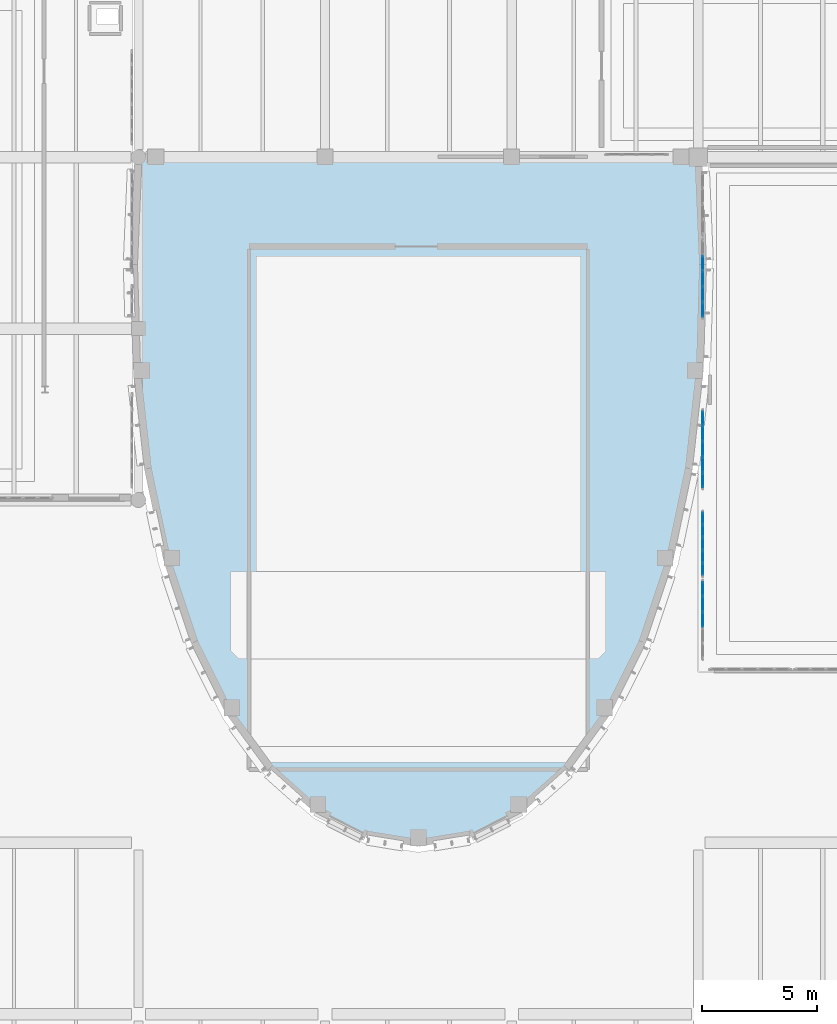
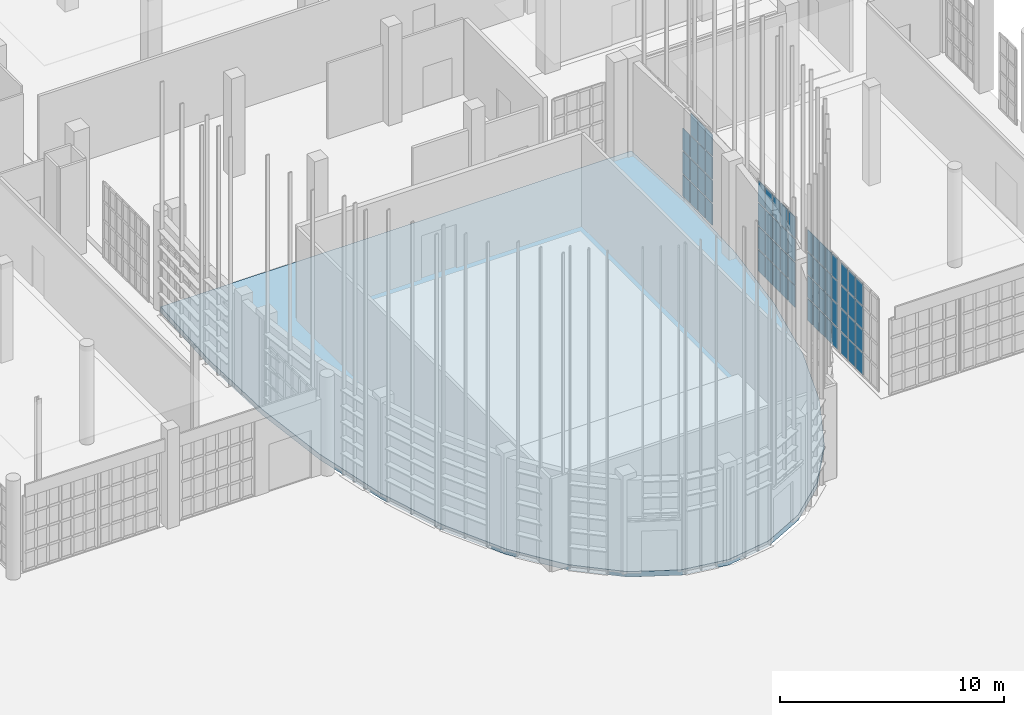
# One storey, part 341 of 372: 67 plates, 1 slab, 4 elements without a shape of their own.
"""IFC4 building model written with IfcOpenShell, lengths in metres."""

from ifc_helpers import new_model, si_unit, direction, frame, origin, origin_2d, place, context, subcontext, project, spatial, polyline, rectangle, outline, extrude, material, layer, layer_set, type_object, element, aggregate, save


model = new_model("IFC4")

# Units and contexts
model_context = context("Model", 3, precision=1e-05, world=origin(), true_north=direction((0.0, 1.0)))
body_context = subcontext(model_context, "Body", "Model", "MODEL_VIEW")
ifc_project = project(units=[si_unit("LENGTHUNIT", "METRE"), si_unit("AREAUNIT", "SQUARE_METRE"), si_unit("VOLUMEUNIT", "CUBIC_METRE"), si_unit("PLANEANGLEUNIT", "RADIAN"), si_unit("MASSUNIT", "GRAM", prefix="KILO")], contexts=[model_context])

# Site, building, storey
site_placement = place(None, origin())
site = spatial("IfcSite", under=ifc_project, at=site_placement, CompositionType="ELEMENT")
building_placement = place(site_placement, origin())
building = spatial("IfcBuilding", under=site, at=building_placement, Name="Kaelora Sail Theatre", CompositionType="ELEMENT")
storey_placement = place(building_placement, origin())
storey = spatial("IfcBuildingStorey", under=building, at=storey_placement, Name="L00", CompositionType="ELEMENT", Elevation=0.0)

# Curtain wall, plates
ifc_material_1 = material(Name="Anodised aluminium and solar-control low-E IGU", Category="aluminium")
curtain_wall_type = type_object("IfcCurtainWallType", Name="ARC-CW-CW-FOY2", PredefinedType="NOTDEFINED", material=ifc_material_1)
curtain_wall_1_placement = place(storey_placement, origin())
curtain_wall_1 = element("IfcCurtainWall", 1, at=curtain_wall_1_placement, inside=storey, type_object=curtain_wall_type, Name="Glazed Colonnade/Courtyard Curtain Wall COLE-W-L00-01", PredefinedType="NOTDEFINED")
ifc_material_2 = material(Name="Solar-control laminated low-E glass", Category="glass")
ifc_layer_1 = layer(ifc_material_2, 0.031982421875)
ifc_layer_set_1 = layer_set([ifc_layer_1], Name="Solar-control laminated low-E glass")
plate_type = type_object("IfcPlateType", Name="ARC-CW-PNL", PredefinedType="CURTAIN_PANEL", material=ifc_layer_set_1)
plate_1_placement = place(storey_placement, frame((147.489990234375, 33.5, 0.06982421875), z_axis=(0.0, 0.0, 1.0), x_axis=(0.0, 1.0, 0.0)))
plate_1 = element("IfcPlate", 2, at=plate_1_placement, type_object=plate_type, Name="CW-FOY2 panel 3.1", PredefinedType="CURTAIN_PANEL", context=body_context, shape_type="SweptSolid", body=[
    extrude(rectangle(XDim=0.6201171875, YDim=0.031982421875, at=origin_2d()), origin(), (0.0, 0.0, 1.0), 1.166259765625),
])
plate_2_placement = place(storey_placement, frame((147.489990234375, 33.5, 1.306396484375), z_axis=(0.0, 0.0, 1.0), x_axis=(0.0, 1.0, 0.0)))
plate_2 = element("IfcPlate", 3, at=plate_2_placement, type_object=plate_type, Name="CW-FOY2 panel 3.2", PredefinedType="CURTAIN_PANEL", context=body_context, shape_type="SweptSolid", body=[
    extrude(rectangle(XDim=0.6201171875, YDim=0.031982421875, at=origin_2d()), origin(), (0.0, 0.0, 1.0), 1.201171875),
])
plate_3_placement = place(storey_placement, frame((147.489990234375, 33.5, 2.57763671875), z_axis=(0.0, 0.0, 1.0), x_axis=(0.0, 1.0, 0.0)))
plate_3 = element("IfcPlate", 4, at=plate_3_placement, type_object=plate_type, Name="CW-FOY2 panel 3.3", PredefinedType="CURTAIN_PANEL", context=body_context, shape_type="SweptSolid", body=[
    extrude(rectangle(XDim=0.6201171875, YDim=0.031982421875, at=origin_2d()), origin(), (0.0, 0.0, 1.0), 1.201416015625),
])
plate_4_placement = place(storey_placement, frame((147.489990234375, 33.5, 3.8486328125), z_axis=(0.0, 0.0, 1.0), x_axis=(0.0, 1.0, 0.0)))
plate_4 = element("IfcPlate", 5, at=plate_4_placement, type_object=plate_type, Name="CW-FOY2 panel 3.4", PredefinedType="CURTAIN_PANEL", context=body_context, shape_type="SweptSolid", body=[
    extrude(rectangle(XDim=0.6201171875, YDim=0.031982421875, at=origin_2d()), origin(), (0.0, 0.0, 1.0), 1.166259765625),
])
plate_5_placement = place(storey_placement, frame((147.489990234375, 34.179931640625, 0.06982421875), z_axis=(0.0, 0.0, 1.0), x_axis=(0.0, 1.0, 0.0)))
plate_5 = element("IfcPlate", 6, at=plate_5_placement, type_object=plate_type, Name="CW-FOY2 panel 4.1", PredefinedType="CURTAIN_PANEL", context=body_context, shape_type="SweptSolid", body=[
    extrude(rectangle(XDim=0.6201171875, YDim=0.031982421875, at=origin_2d()), origin(), (0.0, 0.0, 1.0), 1.166259765625),
])
plate_6_placement = place(storey_placement, frame((147.489990234375, 34.179931640625, 1.306396484375), z_axis=(0.0, 0.0, 1.0), x_axis=(0.0, 1.0, 0.0)))
plate_6 = element("IfcPlate", 7, at=plate_6_placement, type_object=plate_type, Name="CW-FOY2 panel 4.2", PredefinedType="CURTAIN_PANEL", context=body_context, shape_type="SweptSolid", body=[
    extrude(rectangle(XDim=0.6201171875, YDim=0.031982421875, at=origin_2d()), origin(), (0.0, 0.0, 1.0), 1.201171875),
])
plate_7_placement = place(storey_placement, frame((147.489990234375, 34.179931640625, 2.57763671875), z_axis=(0.0, 0.0, 1.0), x_axis=(0.0, 1.0, 0.0)))
plate_7 = element("IfcPlate", 8, at=plate_7_placement, type_object=plate_type, Name="CW-FOY2 panel 4.3", PredefinedType="CURTAIN_PANEL", context=body_context, shape_type="SweptSolid", body=[
    extrude(rectangle(XDim=0.6201171875, YDim=0.031982421875, at=origin_2d()), origin(), (0.0, 0.0, 1.0), 1.201416015625),
])
plate_8_placement = place(storey_placement, frame((147.489990234375, 34.179931640625, 3.8486328125), z_axis=(0.0, 0.0, 1.0), x_axis=(0.0, 1.0, 0.0)))
plate_8 = element("IfcPlate", 9, at=plate_8_placement, type_object=plate_type, Name="CW-FOY2 panel 4.4", PredefinedType="CURTAIN_PANEL", context=body_context, shape_type="SweptSolid", body=[
    extrude(rectangle(XDim=0.6201171875, YDim=0.031982421875, at=origin_2d()), origin(), (0.0, 0.0, 1.0), 1.166259765625),
])
plate_9_placement = place(storey_placement, frame((147.489990234375, 34.844970703125, 0.06982421875), z_axis=(0.0, 0.0, 1.0), x_axis=(0.0, 1.0, 0.0)))
plate_9 = element("IfcPlate", 10, at=plate_9_placement, type_object=plate_type, Name="CW-FOY2 panel 5.1", PredefinedType="CURTAIN_PANEL", context=body_context, shape_type="SweptSolid", body=[
    extrude(rectangle(XDim=0.590087890625, YDim=0.031982421875, at=origin_2d()), origin(), (0.0, 0.0, 1.0), 1.166259765625),
])
plate_10_placement = place(storey_placement, frame((147.489990234375, 34.844970703125, 1.306396484375), z_axis=(0.0, 0.0, 1.0), x_axis=(0.0, 1.0, 0.0)))
plate_10 = element("IfcPlate", 11, at=plate_10_placement, type_object=plate_type, Name="CW-FOY2 panel 5.2", PredefinedType="CURTAIN_PANEL", context=body_context, shape_type="SweptSolid", body=[
    extrude(rectangle(XDim=0.590087890625, YDim=0.031982421875, at=origin_2d()), origin(), (0.0, 0.0, 1.0), 1.201171875),
])
plate_11_placement = place(storey_placement, frame((147.489990234375, 34.844970703125, 2.57763671875), z_axis=(0.0, 0.0, 1.0), x_axis=(0.0, 1.0, 0.0)))
plate_11 = element("IfcPlate", 12, at=plate_11_placement, type_object=plate_type, Name="CW-FOY2 panel 5.3", PredefinedType="CURTAIN_PANEL", context=body_context, shape_type="SweptSolid", body=[
    extrude(rectangle(XDim=0.590087890625, YDim=0.031982421875, at=origin_2d()), origin(), (0.0, 0.0, 1.0), 1.201416015625),
])
plate_12_placement = place(storey_placement, frame((147.489990234375, 34.844970703125, 3.8486328125), z_axis=(0.0, 0.0, 1.0), x_axis=(0.0, 1.0, 0.0)))
plate_12 = element("IfcPlate", 13, at=plate_12_placement, type_object=plate_type, Name="CW-FOY2 panel 5.4", PredefinedType="CURTAIN_PANEL", context=body_context, shape_type="SweptSolid", body=[
    extrude(rectangle(XDim=0.590087890625, YDim=0.031982421875, at=origin_2d()), origin(), (0.0, 0.0, 1.0), 1.166259765625),
])
aggregate(curtain_wall_1, [plate_1, plate_2, plate_3, plate_4, plate_5, plate_6, plate_7, plate_8, plate_9, plate_10, plate_11, plate_12])

curtain_wall_2_placement = place(storey_placement, origin())
curtain_wall_2 = element("IfcCurtainWall", 14, at=curtain_wall_2_placement, inside=storey, type_object=curtain_wall_type, Name="Glazed Colonnade/Courtyard Curtain Wall COLE-W-L00-02", PredefinedType="NOTDEFINED")
plate_13_placement = place(storey_placement, frame((147.489990234375, 35.695068359375, 0.06982421875), z_axis=(0.0, 0.0, 1.0), x_axis=(0.0, 1.0, 0.0)))
plate_13 = element("IfcPlate", 15, at=plate_13_placement, type_object=plate_type, Name="CW-FOY2 panel 1.1", PredefinedType="CURTAIN_PANEL", context=body_context, shape_type="SweptSolid", body=[
    extrude(rectangle(XDim=0.469970703125, YDim=0.031982421875, at=origin_2d()), origin(), (0.0, 0.0, 1.0), 1.166259765625),
])
plate_14_placement = place(storey_placement, frame((147.489990234375, 35.695068359375, 1.306396484375), z_axis=(0.0, 0.0, 1.0), x_axis=(0.0, 1.0, 0.0)))
plate_14 = element("IfcPlate", 16, at=plate_14_placement, type_object=plate_type, Name="CW-FOY2 panel 1.2", PredefinedType="CURTAIN_PANEL", context=body_context, shape_type="SweptSolid", body=[
    extrude(rectangle(XDim=0.469970703125, YDim=0.031982421875, at=origin_2d()), origin(), (0.0, 0.0, 1.0), 1.201171875),
])
plate_15_placement = place(storey_placement, frame((147.489990234375, 35.695068359375, 2.57763671875), z_axis=(0.0, 0.0, 1.0), x_axis=(0.0, 1.0, 0.0)))
plate_15 = element("IfcPlate", 17, at=plate_15_placement, type_object=plate_type, Name="CW-FOY2 panel 1.3", PredefinedType="CURTAIN_PANEL", context=body_context, shape_type="SweptSolid", body=[
    extrude(rectangle(XDim=0.469970703125, YDim=0.031982421875, at=origin_2d()), origin(), (0.0, 0.0, 1.0), 1.201416015625),
])
plate_16_placement = place(storey_placement, frame((147.489990234375, 35.695068359375, 3.8486328125), z_axis=(0.0, 0.0, 1.0), x_axis=(0.0, 1.0, 0.0)))
plate_16 = element("IfcPlate", 18, at=plate_16_placement, type_object=plate_type, Name="CW-FOY2 panel 1.4", PredefinedType="CURTAIN_PANEL", context=body_context, shape_type="SweptSolid", body=[
    extrude(rectangle(XDim=0.469970703125, YDim=0.031982421875, at=origin_2d()), origin(), (0.0, 0.0, 1.0), 1.166259765625),
])
plate_17_placement = place(storey_placement, frame((147.489990234375, 36.239990234375, 0.06982421875), z_axis=(0.0, 0.0, 1.0), x_axis=(0.0, 1.0, 0.0)))
plate_17 = element("IfcPlate", 19, at=plate_17_placement, type_object=plate_type, Name="CW-FOY2 panel 2.1", PredefinedType="CURTAIN_PANEL", context=body_context, shape_type="SweptSolid", body=[
    extrude(rectangle(XDim=0.5, YDim=0.031982421875, at=origin_2d()), origin(), (0.0, 0.0, 1.0), 1.166259765625),
])
plate_18_placement = place(storey_placement, frame((147.489990234375, 36.239990234375, 1.306396484375), z_axis=(0.0, 0.0, 1.0), x_axis=(0.0, 1.0, 0.0)))
plate_18 = element("IfcPlate", 20, at=plate_18_placement, type_object=plate_type, Name="CW-FOY2 panel 2.2", PredefinedType="CURTAIN_PANEL", context=body_context, shape_type="SweptSolid", body=[
    extrude(rectangle(XDim=0.5, YDim=0.031982421875, at=origin_2d()), origin(), (0.0, 0.0, 1.0), 1.201171875),
])
plate_19_placement = place(storey_placement, frame((147.489990234375, 36.239990234375, 2.57763671875), z_axis=(0.0, 0.0, 1.0), x_axis=(0.0, 1.0, 0.0)))
plate_19 = element("IfcPlate", 21, at=plate_19_placement, type_object=plate_type, Name="CW-FOY2 panel 2.3", PredefinedType="CURTAIN_PANEL", context=body_context, shape_type="SweptSolid", body=[
    extrude(rectangle(XDim=0.5, YDim=0.031982421875, at=origin_2d()), origin(), (0.0, 0.0, 1.0), 1.201416015625),
])
plate_20_placement = place(storey_placement, frame((147.489990234375, 36.239990234375, 3.8486328125), z_axis=(0.0, 0.0, 1.0), x_axis=(0.0, 1.0, 0.0)))
plate_20 = element("IfcPlate", 22, at=plate_20_placement, type_object=plate_type, Name="CW-FOY2 panel 2.4", PredefinedType="CURTAIN_PANEL", context=body_context, shape_type="SweptSolid", body=[
    extrude(rectangle(XDim=0.5, YDim=0.031982421875, at=origin_2d()), origin(), (0.0, 0.0, 1.0), 1.166259765625),
])
plate_21_placement = place(storey_placement, frame((147.489990234375, 36.800048828125, 0.06982421875), z_axis=(0.0, 0.0, 1.0), x_axis=(0.0, 1.0, 0.0)))
plate_21 = element("IfcPlate", 23, at=plate_21_placement, type_object=plate_type, Name="CW-FOY2 panel 3.1", PredefinedType="CURTAIN_PANEL", context=body_context, shape_type="SweptSolid", body=[
    extrude(rectangle(XDim=0.5, YDim=0.031982421875, at=origin_2d()), origin(), (0.0, 0.0, 1.0), 1.166259765625),
])
plate_22_placement = place(storey_placement, frame((147.489990234375, 36.800048828125, 1.306396484375), z_axis=(0.0, 0.0, 1.0), x_axis=(0.0, 1.0, 0.0)))
plate_22 = element("IfcPlate", 24, at=plate_22_placement, type_object=plate_type, Name="CW-FOY2 panel 3.2", PredefinedType="CURTAIN_PANEL", context=body_context, shape_type="SweptSolid", body=[
    extrude(rectangle(XDim=0.5, YDim=0.031982421875, at=origin_2d()), origin(), (0.0, 0.0, 1.0), 1.201171875),
])
plate_23_placement = place(storey_placement, frame((147.489990234375, 36.800048828125, 2.57763671875), z_axis=(0.0, 0.0, 1.0), x_axis=(0.0, 1.0, 0.0)))
plate_23 = element("IfcPlate", 25, at=plate_23_placement, type_object=plate_type, Name="CW-FOY2 panel 3.3", PredefinedType="CURTAIN_PANEL", context=body_context, shape_type="SweptSolid", body=[
    extrude(rectangle(XDim=0.5, YDim=0.031982421875, at=origin_2d()), origin(), (0.0, 0.0, 1.0), 1.201416015625),
])
plate_24_placement = place(storey_placement, frame((147.489990234375, 36.800048828125, 3.8486328125), z_axis=(0.0, 0.0, 1.0), x_axis=(0.0, 1.0, 0.0)))
plate_24 = element("IfcPlate", 26, at=plate_24_placement, type_object=plate_type, Name="CW-FOY2 panel 3.4", PredefinedType="CURTAIN_PANEL", context=body_context, shape_type="SweptSolid", body=[
    extrude(rectangle(XDim=0.5, YDim=0.031982421875, at=origin_2d()), origin(), (0.0, 0.0, 1.0), 1.166259765625),
])
plate_25_placement = place(storey_placement, frame((147.489990234375, 37.360107421875, 0.06982421875), z_axis=(0.0, 0.0, 1.0), x_axis=(0.0, 1.0, 0.0)))
plate_25 = element("IfcPlate", 27, at=plate_25_placement, type_object=plate_type, Name="CW-FOY2 panel 4.1", PredefinedType="CURTAIN_PANEL", context=body_context, shape_type="SweptSolid", body=[
    extrude(rectangle(XDim=0.5, YDim=0.031982421875, at=origin_2d()), origin(), (0.0, 0.0, 1.0), 1.166259765625),
])
plate_26_placement = place(storey_placement, frame((147.489990234375, 37.360107421875, 1.306396484375), z_axis=(0.0, 0.0, 1.0), x_axis=(0.0, 1.0, 0.0)))
plate_26 = element("IfcPlate", 28, at=plate_26_placement, type_object=plate_type, Name="CW-FOY2 panel 4.2", PredefinedType="CURTAIN_PANEL", context=body_context, shape_type="SweptSolid", body=[
    extrude(rectangle(XDim=0.5, YDim=0.031982421875, at=origin_2d()), origin(), (0.0, 0.0, 1.0), 1.201171875),
])
plate_27_placement = place(storey_placement, frame((147.489990234375, 37.360107421875, 2.57763671875), z_axis=(0.0, 0.0, 1.0), x_axis=(0.0, 1.0, 0.0)))
plate_27 = element("IfcPlate", 29, at=plate_27_placement, type_object=plate_type, Name="CW-FOY2 panel 4.3", PredefinedType="CURTAIN_PANEL", context=body_context, shape_type="SweptSolid", body=[
    extrude(rectangle(XDim=0.5, YDim=0.031982421875, at=origin_2d()), origin(), (0.0, 0.0, 1.0), 1.201416015625),
])
plate_28_placement = place(storey_placement, frame((147.489990234375, 37.360107421875, 3.8486328125), z_axis=(0.0, 0.0, 1.0), x_axis=(0.0, 1.0, 0.0)))
plate_28 = element("IfcPlate", 30, at=plate_28_placement, type_object=plate_type, Name="CW-FOY2 panel 4.4", PredefinedType="CURTAIN_PANEL", context=body_context, shape_type="SweptSolid", body=[
    extrude(rectangle(XDim=0.5, YDim=0.031982421875, at=origin_2d()), origin(), (0.0, 0.0, 1.0), 1.166259765625),
])
plate_29_placement = place(storey_placement, frame((147.489990234375, 37.905029296875, 0.06982421875), z_axis=(0.0, 0.0, 1.0), x_axis=(0.0, 1.0, 0.0)))
plate_29 = element("IfcPlate", 31, at=plate_29_placement, type_object=plate_type, Name="CW-FOY2 panel 5.1", PredefinedType="CURTAIN_PANEL", context=body_context, shape_type="SweptSolid", body=[
    extrude(rectangle(XDim=0.469970703125, YDim=0.031982421875, at=origin_2d()), origin(), (0.0, 0.0, 1.0), 1.166259765625),
])
plate_30_placement = place(storey_placement, frame((147.489990234375, 37.905029296875, 1.306396484375), z_axis=(0.0, 0.0, 1.0), x_axis=(0.0, 1.0, 0.0)))
plate_30 = element("IfcPlate", 32, at=plate_30_placement, type_object=plate_type, Name="CW-FOY2 panel 5.2", PredefinedType="CURTAIN_PANEL", context=body_context, shape_type="SweptSolid", body=[
    extrude(rectangle(XDim=0.469970703125, YDim=0.031982421875, at=origin_2d()), origin(), (0.0, 0.0, 1.0), 1.201171875),
])
plate_31_placement = place(storey_placement, frame((147.489990234375, 37.905029296875, 2.57763671875), z_axis=(0.0, 0.0, 1.0), x_axis=(0.0, 1.0, 0.0)))
plate_31 = element("IfcPlate", 33, at=plate_31_placement, type_object=plate_type, Name="CW-FOY2 panel 5.3", PredefinedType="CURTAIN_PANEL", context=body_context, shape_type="SweptSolid", body=[
    extrude(rectangle(XDim=0.469970703125, YDim=0.031982421875, at=origin_2d()), origin(), (0.0, 0.0, 1.0), 1.201416015625),
])
plate_32_placement = place(storey_placement, frame((147.489990234375, 37.905029296875, 3.8486328125), z_axis=(0.0, 0.0, 1.0), x_axis=(0.0, 1.0, 0.0)))
plate_32 = element("IfcPlate", 34, at=plate_32_placement, type_object=plate_type, Name="CW-FOY2 panel 5.4", PredefinedType="CURTAIN_PANEL", context=body_context, shape_type="SweptSolid", body=[
    extrude(rectangle(XDim=0.469970703125, YDim=0.031982421875, at=origin_2d()), origin(), (0.0, 0.0, 1.0), 1.166259765625),
])
aggregate(curtain_wall_2, [plate_13, plate_14, plate_15, plate_16, plate_17, plate_18, plate_19, plate_20, plate_21, plate_22, plate_23, plate_24, plate_25, plate_26, plate_27, plate_28, plate_29, plate_30, plate_31, plate_32])

curtain_wall_3_placement = place(storey_placement, origin())
curtain_wall_3 = element("IfcCurtainWall", 35, at=curtain_wall_3_placement, inside=storey, type_object=curtain_wall_type, Name="Glazed Colonnade/Courtyard Curtain Wall COLE-W-L00-03", PredefinedType="NOTDEFINED")
plate_33_placement = place(storey_placement, frame((147.489990234375, 39.554931640625, 0.06982421875), z_axis=(0.0, 0.0, 1.0), x_axis=(0.0, 1.0, 0.0)))
plate_33 = element("IfcPlate", 36, at=plate_33_placement, type_object=plate_type, Name="CW-FOY2 panel 1.1", PredefinedType="CURTAIN_PANEL", context=body_context, shape_type="SweptSolid", body=[
    extrude(rectangle(XDim=0.590087890625, YDim=0.031982421875, at=origin_2d()), origin(), (0.0, 0.0, 1.0), 1.166259765625),
])
plate_34_placement = place(storey_placement, frame((147.489990234375, 39.554931640625, 1.306396484375), z_axis=(0.0, 0.0, 1.0), x_axis=(0.0, 1.0, 0.0)))
plate_34 = element("IfcPlate", 37, at=plate_34_placement, type_object=plate_type, Name="CW-FOY2 panel 1.2", PredefinedType="CURTAIN_PANEL", context=body_context, shape_type="SweptSolid", body=[
    extrude(rectangle(XDim=0.590087890625, YDim=0.031982421875, at=origin_2d()), origin(), (0.0, 0.0, 1.0), 1.201171875),
])
plate_35_placement = place(storey_placement, frame((147.489990234375, 39.554931640625, 2.57763671875), z_axis=(0.0, 0.0, 1.0), x_axis=(0.0, 1.0, 0.0)))
plate_35 = element("IfcPlate", 38, at=plate_35_placement, type_object=plate_type, Name="CW-FOY2 panel 1.3", PredefinedType="CURTAIN_PANEL", context=body_context, shape_type="SweptSolid", body=[
    extrude(rectangle(XDim=0.590087890625, YDim=0.031982421875, at=origin_2d()), origin(), (0.0, 0.0, 1.0), 1.201416015625),
])
plate_36_placement = place(storey_placement, frame((147.489990234375, 39.554931640625, 3.8486328125), z_axis=(0.0, 0.0, 1.0), x_axis=(0.0, 1.0, 0.0)))
plate_36 = element("IfcPlate", 39, at=plate_36_placement, type_object=plate_type, Name="CW-FOY2 panel 1.4", PredefinedType="CURTAIN_PANEL", context=body_context, shape_type="SweptSolid", body=[
    extrude(rectangle(XDim=0.590087890625, YDim=0.031982421875, at=origin_2d()), origin(), (0.0, 0.0, 1.0), 1.166259765625),
])
plate_37_placement = place(storey_placement, frame((147.489990234375, 40.219970703125, 0.06982421875), z_axis=(0.0, 0.0, 1.0), x_axis=(0.0, 1.0, 0.0)))
plate_37 = element("IfcPlate", 40, at=plate_37_placement, type_object=plate_type, Name="CW-FOY2 panel 2.1", PredefinedType="CURTAIN_PANEL", context=body_context, shape_type="SweptSolid", body=[
    extrude(rectangle(XDim=0.6201171875, YDim=0.031982421875, at=origin_2d()), origin(), (0.0, 0.0, 1.0), 1.166259765625),
])
plate_38_placement = place(storey_placement, frame((147.489990234375, 40.219970703125, 1.306396484375), z_axis=(0.0, 0.0, 1.0), x_axis=(0.0, 1.0, 0.0)))
plate_38 = element("IfcPlate", 41, at=plate_38_placement, type_object=plate_type, Name="CW-FOY2 panel 2.2", PredefinedType="CURTAIN_PANEL", context=body_context, shape_type="SweptSolid", body=[
    extrude(rectangle(XDim=0.6201171875, YDim=0.031982421875, at=origin_2d()), origin(), (0.0, 0.0, 1.0), 1.201171875),
])
plate_39_placement = place(storey_placement, frame((147.489990234375, 40.219970703125, 2.57763671875), z_axis=(0.0, 0.0, 1.0), x_axis=(0.0, 1.0, 0.0)))
plate_39 = element("IfcPlate", 42, at=plate_39_placement, type_object=plate_type, Name="CW-FOY2 panel 2.3", PredefinedType="CURTAIN_PANEL", context=body_context, shape_type="SweptSolid", body=[
    extrude(rectangle(XDim=0.6201171875, YDim=0.031982421875, at=origin_2d()), origin(), (0.0, 0.0, 1.0), 1.201416015625),
])
plate_40_placement = place(storey_placement, frame((147.489990234375, 40.219970703125, 3.8486328125), z_axis=(0.0, 0.0, 1.0), x_axis=(0.0, 1.0, 0.0)))
plate_40 = element("IfcPlate", 43, at=plate_40_placement, type_object=plate_type, Name="CW-FOY2 panel 2.4", PredefinedType="CURTAIN_PANEL", context=body_context, shape_type="SweptSolid", body=[
    extrude(rectangle(XDim=0.6201171875, YDim=0.031982421875, at=origin_2d()), origin(), (0.0, 0.0, 1.0), 1.166259765625),
])
plate_41_placement = place(storey_placement, frame((147.489990234375, 40.89990234375, 0.06982421875), z_axis=(0.0, 0.0, 1.0), x_axis=(0.0, 1.0, 0.0)))
plate_41 = element("IfcPlate", 44, at=plate_41_placement, type_object=plate_type, Name="CW-FOY2 panel 3.1", PredefinedType="CURTAIN_PANEL", context=body_context, shape_type="SweptSolid", body=[
    extrude(rectangle(XDim=0.6201171875, YDim=0.031982421875, at=origin_2d()), origin(), (0.0, 0.0, 1.0), 1.166259765625),
])
plate_42_placement = place(storey_placement, frame((147.489990234375, 40.89990234375, 1.306396484375), z_axis=(0.0, 0.0, 1.0), x_axis=(0.0, 1.0, 0.0)))
plate_42 = element("IfcPlate", 45, at=plate_42_placement, type_object=plate_type, Name="CW-FOY2 panel 3.2", PredefinedType="CURTAIN_PANEL", context=body_context, shape_type="SweptSolid", body=[
    extrude(rectangle(XDim=0.6201171875, YDim=0.031982421875, at=origin_2d()), origin(), (0.0, 0.0, 1.0), 1.201171875),
])
plate_43_placement = place(storey_placement, frame((147.489990234375, 40.89990234375, 2.57763671875), z_axis=(0.0, 0.0, 1.0), x_axis=(0.0, 1.0, 0.0)))
plate_43 = element("IfcPlate", 46, at=plate_43_placement, type_object=plate_type, Name="CW-FOY2 panel 3.3", PredefinedType="CURTAIN_PANEL", context=body_context, shape_type="SweptSolid", body=[
    extrude(rectangle(XDim=0.6201171875, YDim=0.031982421875, at=origin_2d()), origin(), (0.0, 0.0, 1.0), 1.201416015625),
])
plate_44_placement = place(storey_placement, frame((147.489990234375, 40.89990234375, 3.8486328125), z_axis=(0.0, 0.0, 1.0), x_axis=(0.0, 1.0, 0.0)))
plate_44 = element("IfcPlate", 47, at=plate_44_placement, type_object=plate_type, Name="CW-FOY2 panel 3.4", PredefinedType="CURTAIN_PANEL", context=body_context, shape_type="SweptSolid", body=[
    extrude(rectangle(XDim=0.6201171875, YDim=0.031982421875, at=origin_2d()), origin(), (0.0, 0.0, 1.0), 1.166259765625),
])
plate_45_placement = place(storey_placement, frame((147.489990234375, 41.580078125, 0.06982421875), z_axis=(0.0, 0.0, 1.0), x_axis=(0.0, 1.0, 0.0)))
plate_45 = element("IfcPlate", 48, at=plate_45_placement, type_object=plate_type, Name="CW-FOY2 panel 4.1", PredefinedType="CURTAIN_PANEL", context=body_context, shape_type="SweptSolid", body=[
    extrude(rectangle(XDim=0.6201171875, YDim=0.031982421875, at=origin_2d()), origin(), (0.0, 0.0, 1.0), 1.166259765625),
])
plate_46_placement = place(storey_placement, frame((147.489990234375, 41.580078125, 1.306396484375), z_axis=(0.0, 0.0, 1.0), x_axis=(0.0, 1.0, 0.0)))
plate_46 = element("IfcPlate", 49, at=plate_46_placement, type_object=plate_type, Name="CW-FOY2 panel 4.2", PredefinedType="CURTAIN_PANEL", context=body_context, shape_type="SweptSolid", body=[
    extrude(rectangle(XDim=0.6201171875, YDim=0.031982421875, at=origin_2d()), origin(), (0.0, 0.0, 1.0), 1.201171875),
])
plate_47_placement = place(storey_placement, frame((147.489990234375, 41.580078125, 2.57763671875), z_axis=(0.0, 0.0, 1.0), x_axis=(0.0, 1.0, 0.0)))
plate_47 = element("IfcPlate", 50, at=plate_47_placement, type_object=plate_type, Name="CW-FOY2 panel 4.3", PredefinedType="CURTAIN_PANEL", context=body_context, shape_type="SweptSolid", body=[
    extrude(rectangle(XDim=0.6201171875, YDim=0.031982421875, at=origin_2d()), origin(), (0.0, 0.0, 1.0), 1.201416015625),
])
plate_48_placement = place(storey_placement, frame((147.489990234375, 41.580078125, 3.8486328125), z_axis=(0.0, 0.0, 1.0), x_axis=(0.0, 1.0, 0.0)))
plate_48 = element("IfcPlate", 51, at=plate_48_placement, type_object=plate_type, Name="CW-FOY2 panel 4.4", PredefinedType="CURTAIN_PANEL", context=body_context, shape_type="SweptSolid", body=[
    extrude(rectangle(XDim=0.6201171875, YDim=0.031982421875, at=origin_2d()), origin(), (0.0, 0.0, 1.0), 1.166259765625),
])
plate_49_placement = place(storey_placement, frame((147.489990234375, 42.2451171875, 0.06982421875), z_axis=(0.0, 0.0, 1.0), x_axis=(0.0, 1.0, 0.0)))
plate_49 = element("IfcPlate", 52, at=plate_49_placement, type_object=plate_type, Name="CW-FOY2 panel 5.1", PredefinedType="CURTAIN_PANEL", context=body_context, shape_type="SweptSolid", body=[
    extrude(rectangle(XDim=0.590087890625, YDim=0.031982421875, at=origin_2d()), origin(), (0.0, 0.0, 1.0), 1.166259765625),
])
plate_50_placement = place(storey_placement, frame((147.489990234375, 42.2451171875, 1.306396484375), z_axis=(0.0, 0.0, 1.0), x_axis=(0.0, 1.0, 0.0)))
plate_50 = element("IfcPlate", 53, at=plate_50_placement, type_object=plate_type, Name="CW-FOY2 panel 5.2", PredefinedType="CURTAIN_PANEL", context=body_context, shape_type="SweptSolid", body=[
    extrude(rectangle(XDim=0.590087890625, YDim=0.031982421875, at=origin_2d()), origin(), (0.0, 0.0, 1.0), 1.201171875),
])
plate_51_placement = place(storey_placement, frame((147.489990234375, 42.2451171875, 2.57763671875), z_axis=(0.0, 0.0, 1.0), x_axis=(0.0, 1.0, 0.0)))
plate_51 = element("IfcPlate", 54, at=plate_51_placement, type_object=plate_type, Name="CW-FOY2 panel 5.3", PredefinedType="CURTAIN_PANEL", context=body_context, shape_type="SweptSolid", body=[
    extrude(rectangle(XDim=0.590087890625, YDim=0.031982421875, at=origin_2d()), origin(), (0.0, 0.0, 1.0), 1.201416015625),
])
plate_52_placement = place(storey_placement, frame((147.489990234375, 42.2451171875, 3.8486328125), z_axis=(0.0, 0.0, 1.0), x_axis=(0.0, 1.0, 0.0)))
plate_52 = element("IfcPlate", 55, at=plate_52_placement, type_object=plate_type, Name="CW-FOY2 panel 5.4", PredefinedType="CURTAIN_PANEL", context=body_context, shape_type="SweptSolid", body=[
    extrude(rectangle(XDim=0.590087890625, YDim=0.031982421875, at=origin_2d()), origin(), (0.0, 0.0, 1.0), 1.166259765625),
])
aggregate(curtain_wall_3, [plate_33, plate_34, plate_35, plate_36, plate_37, plate_38, plate_39, plate_40, plate_41, plate_42, plate_43, plate_44, plate_45, plate_46, plate_47, plate_48, plate_49, plate_50, plate_51, plate_52])

curtain_wall_4_placement = place(storey_placement, origin())
curtain_wall_4 = element("IfcCurtainWall", 56, at=curtain_wall_4_placement, inside=storey, type_object=curtain_wall_type, Name="Glazed Colonnade/Courtyard Curtain Wall COLE-W-L00-05", PredefinedType="NOTDEFINED")
plate_53_placement = place(storey_placement, frame((147.489990234375, 46.955078125, 0.06982421875), z_axis=(0.0, 0.0, 1.0), x_axis=(0.0, 1.0, 0.0)))
plate_53 = element("IfcPlate", 57, at=plate_53_placement, type_object=plate_type, Name="CW-FOY2 panel 1.1", PredefinedType="CURTAIN_PANEL", context=body_context, shape_type="SweptSolid", body=[
    extrude(rectangle(XDim=0.590087890625, YDim=0.031982421875, at=origin_2d()), origin(), (0.0, 0.0, 1.0), 1.166259765625),
])
plate_54_placement = place(storey_placement, frame((147.489990234375, 46.955078125, 1.306396484375), z_axis=(0.0, 0.0, 1.0), x_axis=(0.0, 1.0, 0.0)))
plate_54 = element("IfcPlate", 58, at=plate_54_placement, type_object=plate_type, Name="CW-FOY2 panel 1.2", PredefinedType="CURTAIN_PANEL", context=body_context, shape_type="SweptSolid", body=[
    extrude(rectangle(XDim=0.590087890625, YDim=0.031982421875, at=origin_2d()), origin(), (0.0, 0.0, 1.0), 1.201171875),
])
plate_55_placement = place(storey_placement, frame((147.489990234375, 46.955078125, 2.57763671875), z_axis=(0.0, 0.0, 1.0), x_axis=(0.0, 1.0, 0.0)))
plate_55 = element("IfcPlate", 59, at=plate_55_placement, type_object=plate_type, Name="CW-FOY2 panel 1.3", PredefinedType="CURTAIN_PANEL", context=body_context, shape_type="SweptSolid", body=[
    extrude(rectangle(XDim=0.590087890625, YDim=0.031982421875, at=origin_2d()), origin(), (0.0, 0.0, 1.0), 1.201416015625),
])
plate_56_placement = place(storey_placement, frame((147.489990234375, 46.955078125, 3.8486328125), z_axis=(0.0, 0.0, 1.0), x_axis=(0.0, 1.0, 0.0)))
plate_56 = element("IfcPlate", 60, at=plate_56_placement, type_object=plate_type, Name="CW-FOY2 panel 1.4", PredefinedType="CURTAIN_PANEL", context=body_context, shape_type="SweptSolid", body=[
    extrude(rectangle(XDim=0.590087890625, YDim=0.031982421875, at=origin_2d()), origin(), (0.0, 0.0, 1.0), 1.166259765625),
])
plate_57_placement = place(storey_placement, frame((147.489990234375, 47.6201171875, 0.06982421875), z_axis=(0.0, 0.0, 1.0), x_axis=(0.0, 1.0, 0.0)))
plate_57 = element("IfcPlate", 61, at=plate_57_placement, type_object=plate_type, Name="CW-FOY2 panel 2.1", PredefinedType="CURTAIN_PANEL", context=body_context, shape_type="SweptSolid", body=[
    extrude(rectangle(XDim=0.6201171875, YDim=0.031982421875, at=origin_2d()), origin(), (0.0, 0.0, 1.0), 1.166259765625),
])
plate_58_placement = place(storey_placement, frame((147.489990234375, 47.6201171875, 1.306396484375), z_axis=(0.0, 0.0, 1.0), x_axis=(0.0, 1.0, 0.0)))
plate_58 = element("IfcPlate", 62, at=plate_58_placement, type_object=plate_type, Name="CW-FOY2 panel 2.2", PredefinedType="CURTAIN_PANEL", context=body_context, shape_type="SweptSolid", body=[
    extrude(rectangle(XDim=0.6201171875, YDim=0.031982421875, at=origin_2d()), origin(), (0.0, 0.0, 1.0), 1.201171875),
])
plate_59_placement = place(storey_placement, frame((147.489990234375, 47.6201171875, 2.57763671875), z_axis=(0.0, 0.0, 1.0), x_axis=(0.0, 1.0, 0.0)))
plate_59 = element("IfcPlate", 63, at=plate_59_placement, type_object=plate_type, Name="CW-FOY2 panel 2.3", PredefinedType="CURTAIN_PANEL", context=body_context, shape_type="SweptSolid", body=[
    extrude(rectangle(XDim=0.6201171875, YDim=0.031982421875, at=origin_2d()), origin(), (0.0, 0.0, 1.0), 1.201416015625),
])
plate_60_placement = place(storey_placement, frame((147.489990234375, 47.6201171875, 3.8486328125), z_axis=(0.0, 0.0, 1.0), x_axis=(0.0, 1.0, 0.0)))
plate_60 = element("IfcPlate", 64, at=plate_60_placement, type_object=plate_type, Name="CW-FOY2 panel 2.4", PredefinedType="CURTAIN_PANEL", context=body_context, shape_type="SweptSolid", body=[
    extrude(rectangle(XDim=0.6201171875, YDim=0.031982421875, at=origin_2d()), origin(), (0.0, 0.0, 1.0), 1.166259765625),
])
plate_61_placement = place(storey_placement, frame((147.489990234375, 48.300048828125, 0.06982421875), z_axis=(0.0, 0.0, 1.0), x_axis=(0.0, 1.0, 0.0)))
plate_61 = element("IfcPlate", 65, at=plate_61_placement, type_object=plate_type, Name="CW-FOY2 panel 3.1", PredefinedType="CURTAIN_PANEL", context=body_context, shape_type="SweptSolid", body=[
    extrude(rectangle(XDim=0.6201171875, YDim=0.031982421875, at=origin_2d()), origin(), (0.0, 0.0, 1.0), 1.166259765625),
])
plate_62_placement = place(storey_placement, frame((147.489990234375, 48.300048828125, 1.306396484375), z_axis=(0.0, 0.0, 1.0), x_axis=(0.0, 1.0, 0.0)))
plate_62 = element("IfcPlate", 66, at=plate_62_placement, type_object=plate_type, Name="CW-FOY2 panel 3.2", PredefinedType="CURTAIN_PANEL", context=body_context, shape_type="SweptSolid", body=[
    extrude(rectangle(XDim=0.6201171875, YDim=0.031982421875, at=origin_2d()), origin(), (0.0, 0.0, 1.0), 1.201171875),
])
plate_63_placement = place(storey_placement, frame((147.489990234375, 48.300048828125, 2.57763671875), z_axis=(0.0, 0.0, 1.0), x_axis=(0.0, 1.0, 0.0)))
plate_63 = element("IfcPlate", 67, at=plate_63_placement, type_object=plate_type, Name="CW-FOY2 panel 3.3", PredefinedType="CURTAIN_PANEL", context=body_context, shape_type="SweptSolid", body=[
    extrude(rectangle(XDim=0.6201171875, YDim=0.031982421875, at=origin_2d()), origin(), (0.0, 0.0, 1.0), 1.201416015625),
])
plate_64_placement = place(storey_placement, frame((147.489990234375, 48.300048828125, 3.8486328125), z_axis=(0.0, 0.0, 1.0), x_axis=(0.0, 1.0, 0.0)))
plate_64 = element("IfcPlate", 68, at=plate_64_placement, type_object=plate_type, Name="CW-FOY2 panel 3.4", PredefinedType="CURTAIN_PANEL", context=body_context, shape_type="SweptSolid", body=[
    extrude(rectangle(XDim=0.6201171875, YDim=0.031982421875, at=origin_2d()), origin(), (0.0, 0.0, 1.0), 1.166259765625),
])
plate_65_placement = place(storey_placement, frame((147.489990234375, 48.97998046875, 0.06982421875), z_axis=(0.0, 0.0, 1.0), x_axis=(0.0, 1.0, 0.0)))
plate_65 = element("IfcPlate", 69, at=plate_65_placement, type_object=plate_type, Name="CW-FOY2 panel 4.1", PredefinedType="CURTAIN_PANEL", context=body_context, shape_type="SweptSolid", body=[
    extrude(rectangle(XDim=0.6201171875, YDim=0.031982421875, at=origin_2d()), origin(), (0.0, 0.0, 1.0), 1.166259765625),
])
plate_66_placement = place(storey_placement, frame((147.489990234375, 48.97998046875, 1.306396484375), z_axis=(0.0, 0.0, 1.0), x_axis=(0.0, 1.0, 0.0)))
plate_66 = element("IfcPlate", 70, at=plate_66_placement, type_object=plate_type, Name="CW-FOY2 panel 4.2", PredefinedType="CURTAIN_PANEL", context=body_context, shape_type="SweptSolid", body=[
    extrude(rectangle(XDim=0.6201171875, YDim=0.031982421875, at=origin_2d()), origin(), (0.0, 0.0, 1.0), 1.201171875),
])
plate_67_placement = place(storey_placement, frame((147.489990234375, 48.97998046875, 2.57763671875), z_axis=(0.0, 0.0, 1.0), x_axis=(0.0, 1.0, 0.0)))
plate_67 = element("IfcPlate", 71, at=plate_67_placement, type_object=plate_type, Name="CW-FOY2 panel 4.3", PredefinedType="CURTAIN_PANEL", context=body_context, shape_type="SweptSolid", body=[
    extrude(rectangle(XDim=0.6201171875, YDim=0.031982421875, at=origin_2d()), origin(), (0.0, 0.0, 1.0), 1.201416015625),
])
aggregate(curtain_wall_4, [plate_53, plate_54, plate_55, plate_56, plate_57, plate_58, plate_59, plate_60, plate_61, plate_62, plate_63, plate_64, plate_65, plate_66, plate_67])

# Slab
ifc_material_3 = material(Name="Concrete C40/50", Category="concrete")
ifc_layer_2 = layer(ifc_material_3, 0.300048828125)
ifc_layer_set_2 = layer_set([ifc_layer_2], Name="Concrete C40/50")
slab_type = type_object("IfcSlabType", Name="STR-SLB-SL-FL300", PredefinedType="FLOOR", material=ifc_layer_set_2)
slab_placement = place(storey_placement, frame((0.0, 0.0, -0.300048828125)))
element("IfcSlab", 72, at=slab_placement, inside=storey, type_object=slab_type, Name="Black-Box Theatre floor slab (L00)", PredefinedType="FLOOR", context=body_context, shape_type="SweptSolid", body=[
    extrude(outline(polyline([(147.300048828125, 53.580078125), (147.498046875, 48.924560546875), (147.36669921875, 44.3837890625), (146.885986328125, 40.069091796875), (146.049560546875, 36.08740234375), (144.8662109375, 32.53662109375), (143.361572265625, 29.503662109375), (141.576171875, 27.063720703125), (139.56591796875, 25.276611328125), (137.398193359375, 24.186279296875), (135.14990234375, 23.820068359375), (132.901611328125, 24.186279296875), (130.734130859375, 25.276611328125), (128.723876953125, 27.063720703125), (126.9384765625, 29.503662109375), (125.43359375, 32.53662109375), (124.25048828125, 36.08740234375), (123.4140625, 40.069091796875), (122.933349609375, 44.3837890625), (122.802001953125, 48.924560546875), (123.0, 53.580078125), (147.300048828125, 53.580078125)])), origin(), (0.0, 0.0, 1.0), 0.300048828125),
])

save(model, "model.ifc")
